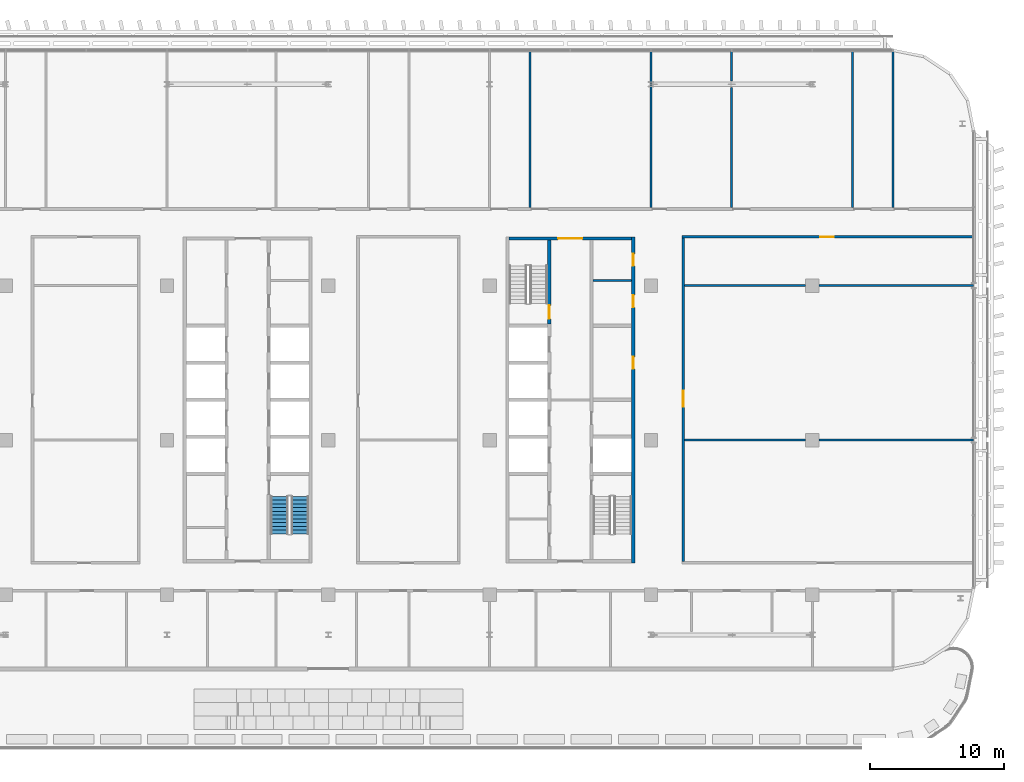
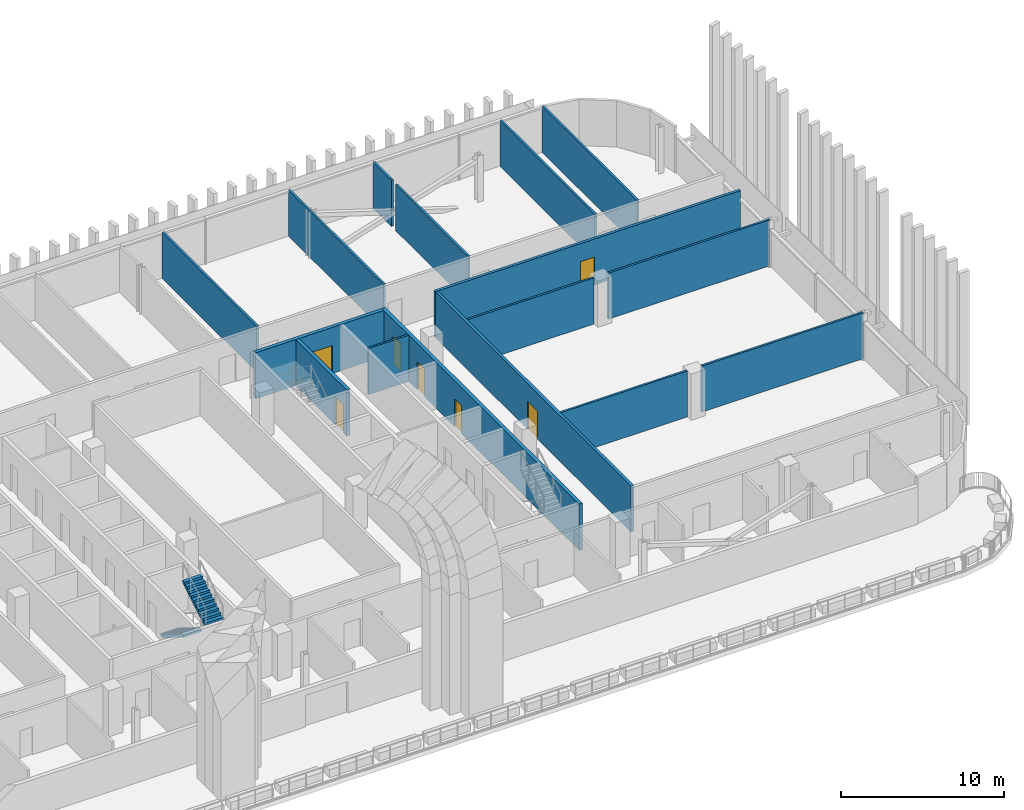
# One storey, part 16 of 30: 16 walls, 7 doors, 2 stair flights, 7 openings, 1 element without a shape of its own.
"""IFC4 building model written with IfcOpenShell, lengths in metres."""

from ifc_helpers import new_model, si_unit, direction, frame, frame_2d, origin, place, context, subcontext, project, spatial, polyline, rectangle, outline, extrude, material, layer, layer_set, type_object, element, fill, aggregate, save


model = new_model("IFC4")

# Units and contexts
model_context = context("Model", 3, precision=1e-05, world=origin(), true_north=direction((0.0, 1.0)))
body_context = subcontext(model_context, "Body", "Model", "MODEL_VIEW")
ifc_project = project(units=[si_unit("LENGTHUNIT", "METRE"), si_unit("AREAUNIT", "SQUARE_METRE"), si_unit("VOLUMEUNIT", "CUBIC_METRE"), si_unit("PLANEANGLEUNIT", "RADIAN"), si_unit("MASSUNIT", "GRAM", prefix="KILO")], contexts=[model_context])

# Site, building, storey
site_placement = place(None, origin())
site = spatial("IfcSite", under=ifc_project, at=site_placement, CompositionType="ELEMENT")
building_placement = place(site_placement, origin())
building = spatial("IfcBuilding", under=site, at=building_placement, Name="Mahtab Terrace Research Tower", CompositionType="ELEMENT")
storey_placement = place(building_placement, frame((0.0, 0.0, 228.60009765625)))
storey = spatial("IfcBuildingStorey", under=building, at=storey_placement, Name="L55", CompositionType="ELEMENT", Elevation=228.60009765625)

# Wall
ifc_material_1 = material(Name="Gypsum board partition")
ifc_layer_1 = layer(ifc_material_1, 0.14990234375)
ifc_layer_set_1 = layer_set([ifc_layer_1], Name="Core partition 150")
wall_type_1 = type_object("IfcWallType", Name="Core partition 150", PredefinedType="PARTITIONING", material=ifc_layer_set_1)
wall_1_placement = place(storey_placement, frame((25.699951171875, 11.875, 0.0), z_axis=(0.0, 0.0, 1.0), x_axis=(1.0, 0.0, 0.0)))
element("IfcWall", 1, at=wall_1_placement, inside=storey, type_object=wall_type_1, Name="Core wall C pEN888", PredefinedType="PARTITIONING", context=body_context, shape_type="SweptSolid", body=[
    extrude(rectangle(XDim=2.85009765625, YDim=0.14990234375, at=frame_2d((1.425048828125, 0.0))), origin(), (0.0, 0.0, 1.0), 3.4599609375),
])

# Wall, openings, doors
ifc_material_2 = material(Name="Concrete C70/85", Category="concrete")
ifc_layer_2 = layer(ifc_material_2, 0.25)
ifc_layer_set_2 = layer_set([ifc_layer_2], Name="Core wall 250")
wall_type_2 = type_object("IfcWallType", Name="Core wall 250", PredefinedType="SOLIDWALL", material=ifc_layer_set_2)
wall_2_placement = place(storey_placement, frame((28.675048828125, -9.125, 0.0), z_axis=(0.0, 0.0, 1.0), x_axis=(0.0, 1.0, 0.0)))
wall_2 = element("IfcWall", 2, at=wall_2_placement, inside=storey, type_object=wall_type_2, Name="Core wall C outerE", PredefinedType="SOLIDWALL", context=body_context, shape_type="SweptSolid", body=[
    extrude(rectangle(XDim=24.25, YDim=0.25, at=frame_2d((12.125, 0.0))), origin(), (0.0, 0.0, 1.0), 3.4599609375),
])
opening_1_placement = place(wall_2_placement, frame((14.425048828125, 0.0, 0.0)))
opening_1 = element("IfcOpeningElement", 3, at=opening_1_placement, cuts=wall_2, Name="Opening C-R2", PredefinedType="OPENING", context=body_context, shape_type="SweptSolid", body=[
    extrude(rectangle(XDim=0.89990234375, YDim=2.10009765625, at=frame_2d((0.449951171875, 1.050048828125))), frame((0.0, 0.135009765625, 0.0), z_axis=(0.0, -1.0, 0.0), x_axis=(1.0, 0.0, 0.0)), (0.0, 0.0, 1.0), 0.27001953125),
])
opening_2_placement = place(wall_2_placement, frame((19.012451171875, 0.0, 0.0)))
opening_2 = element("IfcOpeningElement", 4, at=opening_2_placement, cuts=wall_2, Name="Opening C-R5", PredefinedType="OPENING", context=body_context, shape_type="SweptSolid", body=[
    extrude(rectangle(XDim=0.89990234375, YDim=2.10009765625, at=frame_2d((0.449951171875, 1.050048828125))), frame((0.0, 0.135009765625, 0.0), z_axis=(0.0, -1.0, 0.0), x_axis=(1.0, 0.0, 0.0)), (0.0, 0.0, 1.0), 0.27001953125),
])
opening_3_placement = place(wall_2_placement, frame((22.08740234375, 0.0, 0.0)))
opening_3 = element("IfcOpeningElement", 5, at=opening_3_placement, cuts=wall_2, Name="Opening C-R6", PredefinedType="OPENING", context=body_context, shape_type="SweptSolid", body=[
    extrude(rectangle(XDim=0.89990234375, YDim=2.10009765625, at=frame_2d((0.449951171875, 1.050048828125))), frame((0.0, 0.135009765625, 0.0), z_axis=(0.0, -1.0, 0.0), x_axis=(1.0, 0.0, 0.0)), (0.0, 0.0, 1.0), 0.27001953125),
])
ifc_material_3 = material(Name="Steel fire door", Category="steel")
door_type_1 = type_object("IfcDoorType", Name="Room door 900x2100 1 HR", OperationType="NOTDEFINED", PredefinedType="DOOR", material=ifc_material_3)
door_1_placement = place(opening_1_placement, origin())
door_1 = element("IfcDoor", 6, at=door_1_placement, inside=storey, type_object=door_type_1, Name="Plant room door", OperationType="SINGLE_SWING_RIGHT", OverallHeight=2.10009765625, OverallWidth=0.89990234375, PredefinedType="DOOR", context=body_context, shape_type="SweptSolid", body=[
    extrude(rectangle(XDim=0.89990234375, YDim=2.10009765625, at=frame_2d((0.449951171875, 1.050048828125))), frame((0.0, 0.02490234375, 0.0), z_axis=(0.0, -1.0, 0.0), x_axis=(1.0, 0.0, 0.0)), (0.0, 0.0, 1.0), 0.050048828125),
])
fill(opening_1, door_1)
door_2_placement = place(opening_2_placement, origin())
door_2 = element("IfcDoor", 7, at=door_2_placement, inside=storey, type_object=door_type_1, Name="Housekeeping store door", OperationType="SINGLE_SWING_LEFT", OverallHeight=2.10009765625, OverallWidth=0.89990234375, PredefinedType="DOOR", context=body_context, shape_type="SweptSolid", body=[
    extrude(rectangle(XDim=0.89990234375, YDim=2.10009765625, at=frame_2d((0.449951171875, 1.050048828125))), frame((0.0, 0.02490234375, 0.0), z_axis=(0.0, -1.0, 0.0), x_axis=(1.0, 0.0, 0.0)), (0.0, 0.0, 1.0), 0.050048828125),
])
fill(opening_2, door_2)
door_3_placement = place(opening_3_placement, origin())
door_3 = element("IfcDoor", 8, at=door_3_placement, inside=storey, type_object=door_type_1, Name="Electrical riser room door", OperationType="SINGLE_SWING_RIGHT", OverallHeight=2.10009765625, OverallWidth=0.89990234375, PredefinedType="DOOR", context=body_context, shape_type="SweptSolid", body=[
    extrude(rectangle(XDim=0.89990234375, YDim=2.10009765625, at=frame_2d((0.449951171875, 1.050048828125))), frame((0.0, 0.02490234375, 0.0), z_axis=(0.0, -1.0, 0.0), x_axis=(1.0, 0.0, 0.0)), (0.0, 0.0, 1.0), 0.050048828125),
])
fill(opening_3, door_3)

# Wall, opening, door
wall_3_placement = place(storey_placement, frame((19.449951171875, 15.0, 0.0), z_axis=(0.0, 0.0, 1.0), x_axis=(1.0, 0.0, 0.0)))
wall_3 = element("IfcWall", 9, at=wall_3_placement, inside=storey, type_object=wall_type_2, Name="Core wall C endN", PredefinedType="SOLIDWALL", context=body_context, shape_type="SweptSolid", body=[
    extrude(rectangle(XDim=9.10009765625, YDim=0.25, at=frame_2d((4.550048828125, 0.0))), origin(), (0.0, 0.0, 1.0), 3.4599609375),
])
opening_4_placement = place(wall_3_placement, frame((3.64990234375, 0.0, 0.0)))
opening_4 = element("IfcOpeningElement", 10, at=opening_4_placement, cuts=wall_3, Name="Opening C-N1", PredefinedType="OPENING", context=body_context, shape_type="SweptSolid", body=[
    extrude(rectangle(XDim=1.800048828125, YDim=2.10009765625, at=frame_2d((0.89990234375, 1.050048828125))), frame((0.0, 0.135009765625, 0.0), z_axis=(0.0, -1.0, 0.0), x_axis=(1.0, 0.0, 0.0)), (0.0, 0.0, 1.0), 0.27001953125),
])
door_type_2 = type_object("IfcDoorType", Name="Lobby double door 1800x2100 1 HR", OperationType="DOUBLE_DOOR_SINGLE_SWING", PredefinedType="DOOR", material=ifc_material_3)
door_4_placement = place(opening_4_placement, origin())
door_4 = element("IfcDoor", 11, at=door_4_placement, inside=storey, type_object=door_type_2, Name="Core entrance door C N", OperationType="DOUBLE_DOOR_SINGLE_SWING", OverallHeight=2.10009765625, OverallWidth=1.800048828125, PredefinedType="DOOR", context=body_context, shape_type="SweptSolid", body=[
    extrude(rectangle(XDim=1.800048828125, YDim=2.10009765625, at=frame_2d((0.89990234375, 1.050048828125))), frame((0.0, 0.02490234375, 0.0), z_axis=(0.0, -1.0, 0.0), x_axis=(1.0, 0.0, 0.0)), (0.0, 0.0, 1.0), 0.050048828125),
])
fill(opening_4, door_4)

wall_4_placement = place(storey_placement, frame((22.425048828125, 14.875, 0.0), z_axis=(0.0, 0.0, 1.0), x_axis=(0.0, -1.0, 0.0)))
wall_4 = element("IfcWall", 12, at=wall_4_placement, inside=storey, type_object=wall_type_2, Name="Core wall C innerWN", PredefinedType="SOLIDWALL", context=body_context, shape_type="SweptSolid", body=[
    extrude(rectangle(XDim=6.25, YDim=0.25, at=frame_2d((3.125, 0.0))), origin(), (0.0, 0.0, 1.0), 3.4599609375),
])
opening_5_placement = place(wall_4_placement, frame((4.85009765625, 0.0, 0.0)))
opening_5 = element("IfcOpeningElement", 13, at=opening_5_placement, cuts=wall_4, Name="Opening C-ST3", PredefinedType="OPENING", context=body_context, shape_type="SweptSolid", body=[
    extrude(rectangle(XDim=1.0, YDim=2.10009765625, at=frame_2d((0.5, 1.050048828125))), frame((0.0, 0.135009765625, 0.0), z_axis=(0.0, -1.0, 0.0), x_axis=(1.0, 0.0, 0.0)), (0.0, 0.0, 1.0), 0.27001953125),
])
door_type_3 = type_object("IfcDoorType", Name="Stair door 1000x2100 1.5 HR", OperationType="NOTDEFINED", PredefinedType="DOOR", material=ifc_material_3)
door_5_placement = place(opening_5_placement, origin())
door_5 = element("IfcDoor", 14, at=door_5_placement, inside=storey, type_object=door_type_3, Name="Stair door ST3 L55", OperationType="SINGLE_SWING_LEFT", OverallHeight=2.10009765625, OverallWidth=1.0, PredefinedType="DOOR", context=body_context, shape_type="SweptSolid", body=[
    extrude(rectangle(XDim=1.0, YDim=2.10009765625, at=frame_2d((0.5, 1.050048828125))), frame((0.0, 0.02490234375, 0.0), z_axis=(0.0, -1.0, 0.0), x_axis=(1.0, 0.0, 0.0)), (0.0, 0.0, 1.0), 0.050048828125),
])
fill(opening_5, door_5)

ifc_material_4 = material(Name="Gypsum board corridor wall on steel studs", Category="steel")
ifc_layer_3 = layer(ifc_material_4, 0.199951171875)
ifc_layer_set_3 = layer_set([ifc_layer_3], Name="WALL CORRIDOR 200")
wall_type_3 = type_object("IfcWallType", Name="WALL CORRIDOR 200", PredefinedType="PARTITIONING", material=ifc_layer_set_3)
wall_5_placement = place(storey_placement, frame((32.300048828125, 15.125, 0.0), z_axis=(0.0, 0.0, 1.0), x_axis=(1.0, 0.0, 0.0)))
wall_5 = element("IfcWall", 15, at=wall_5_placement, inside=storey, type_object=wall_type_3, Name="L55-W025", PredefinedType="PARTITIONING", context=body_context, shape_type="SweptSolid", body=[
    extrude(rectangle(XDim=21.675048828125, YDim=0.199951171875, at=frame_2d((10.83740234375, 0.0))), origin(), (0.0, 0.0, 1.0), 3.4599609375),
])
opening_6_placement = place(wall_5_placement, frame((10.300048828125, 0.0, 0.0)))
opening_6 = element("IfcOpeningElement", 16, at=opening_6_placement, cuts=wall_5, Name="Opening L55-127", PredefinedType="OPENING", context=body_context, shape_type="SweptSolid", body=[
    extrude(rectangle(XDim=1.0, YDim=2.10009765625, at=frame_2d((0.5, 1.050048828125))), frame((0.0, 0.10986328125, 0.0), z_axis=(0.0, -1.0, 0.0), x_axis=(1.0, 0.0, 0.0)), (0.0, 0.0, 1.0), 0.219970703125),
])
ifc_material_5 = material(Name="Timber door leaf in steel frame", Category="steel")
door_type_4 = type_object("IfcDoorType", Name="DOOR 1000X2100 FD30S", OperationType="SINGLE_SWING_LEFT", PredefinedType="DOOR", material=ifc_material_5)
door_6_placement = place(opening_6_placement, origin())
door_6 = element("IfcDoor", 17, at=door_6_placement, inside=storey, type_object=door_type_4, Name="Door L55-127", OperationType="SINGLE_SWING_LEFT", OverallHeight=2.10009765625, OverallWidth=1.0, PredefinedType="DOOR", context=body_context, shape_type="SweptSolid", body=[
    extrude(rectangle(XDim=1.0, YDim=2.10009765625, at=frame_2d((0.5, 1.050048828125))), frame((0.0, 0.02490234375, 0.0), z_axis=(0.0, -1.0, 0.0), x_axis=(1.0, 0.0, 0.0)), (0.0, 0.0, 1.0), 0.050048828125),
])
fill(opening_6, door_6)

wall_6_placement = place(storey_placement, frame((32.39990234375, -9.02490234375, 0.0), z_axis=(0.0, 0.0, 1.0), x_axis=(0.0, 1.0, 0.0)))
wall_6 = element("IfcWall", 18, at=wall_6_placement, inside=storey, type_object=wall_type_3, Name="L55-W056", PredefinedType="PARTITIONING", context=body_context, shape_type="SweptSolid", body=[
    extrude(rectangle(XDim=24.0498046875, YDim=0.199951171875, at=frame_2d((12.02490234375, 0.0))), origin(), (0.0, 0.0, 1.0), 3.4599609375),
])
opening_7_placement = place(wall_6_placement, frame((11.5, 0.0, 0.0)))
opening_7 = element("IfcOpeningElement", 19, at=opening_7_placement, cuts=wall_6, Name="Opening L55-123", PredefinedType="OPENING", context=body_context, shape_type="SweptSolid", body=[
    extrude(rectangle(XDim=1.199951171875, YDim=2.10009765625, at=frame_2d((0.60009765625, 1.050048828125))), frame((0.0, 0.10986328125, 0.0), z_axis=(0.0, -1.0, 0.0), x_axis=(1.0, 0.0, 0.0)), (0.0, 0.0, 1.0), 0.219970703125),
])
door_type_5 = type_object("IfcDoorType", Name="DOOR 1200X2100 FD30S", OperationType="SINGLE_SWING_LEFT", PredefinedType="DOOR", material=ifc_material_5)
door_7_placement = place(opening_7_placement, origin())
door_7 = element("IfcDoor", 20, at=door_7_placement, inside=storey, type_object=door_type_5, Name="Door L55-123", OperationType="SINGLE_SWING_LEFT", OverallHeight=2.10009765625, OverallWidth=1.199951171875, PredefinedType="DOOR", context=body_context, shape_type="SweptSolid", body=[
    extrude(rectangle(XDim=1.199951171875, YDim=2.10009765625, at=frame_2d((0.60009765625, 1.050048828125))), frame((0.0, 0.02490234375, 0.0), z_axis=(0.0, -1.0, 0.0), x_axis=(1.0, 0.0, 0.0)), (0.0, 0.0, 1.0), 0.050048828125),
])
fill(opening_7, door_7)

# Walls
ifc_material_6 = material(Name="Gypsum board partition on steel studs", Category="steel")
ifc_layer_4 = layer(ifc_material_6, 0.14990234375)
ifc_layer_set_4 = layer_set([ifc_layer_4], Name="WALL PARTITION 150")
wall_type_4 = type_object("IfcWallType", Name="WALL PARTITION 150", PredefinedType="PARTITIONING", material=ifc_layer_set_4)
wall_7_placement = place(storey_placement, frame((32.5, 0.0, 0.0), z_axis=(0.0, 0.0, 1.0), x_axis=(1.0, 0.0, 0.0)))
element("IfcWall", 21, at=wall_7_placement, inside=storey, type_object=wall_type_4, Name="L55-W017", PredefinedType="PARTITIONING", context=body_context, shape_type="SweptSolid", body=[
    extrude(rectangle(XDim=9.0, YDim=0.14990234375, at=frame_2d((4.5, 0.0))), origin(), (0.0, 0.0, 1.0), 3.4599609375),
])
wall_8_placement = place(storey_placement, frame((42.5, 0.0, 0.0), z_axis=(0.0, 0.0, 1.0), x_axis=(1.0, 0.0, 0.0)))
element("IfcWall", 22, at=wall_8_placement, inside=storey, type_object=wall_type_4, Name="L55-W018", PredefinedType="PARTITIONING", context=body_context, shape_type="SweptSolid", body=[
    extrude(rectangle(XDim=11.47509765625, YDim=0.14990234375, at=frame_2d((5.737548828125, 0.0))), origin(), (0.0, 0.0, 1.0), 3.4599609375),
])
wall_9_placement = place(storey_placement, frame((32.5, 11.5, 0.0), z_axis=(0.0, 0.0, 1.0), x_axis=(1.0, 0.0, 0.0)))
element("IfcWall", 23, at=wall_9_placement, inside=storey, type_object=wall_type_4, Name="L55-W020", PredefinedType="PARTITIONING", context=body_context, shape_type="SweptSolid", body=[
    extrude(rectangle(XDim=9.0, YDim=0.14990234375, at=frame_2d((4.5, 0.0))), origin(), (0.0, 0.0, 1.0), 3.4599609375),
])
wall_10_placement = place(storey_placement, frame((42.5, 11.5, 0.0), z_axis=(0.0, 0.0, 1.0), x_axis=(1.0, 0.0, 0.0)))
element("IfcWall", 24, at=wall_10_placement, inside=storey, type_object=wall_type_4, Name="L55-W021", PredefinedType="PARTITIONING", context=body_context, shape_type="SweptSolid", body=[
    extrude(rectangle(XDim=11.47509765625, YDim=0.14990234375, at=frame_2d((5.737548828125, 0.0))), origin(), (0.0, 0.0, 1.0), 3.4599609375),
])
for number, where, z_axis, x_axis, name in (
    (25, (21.0, 17.300048828125, 0.0), (0.0, 0.0, 1.0), (0.0, 1.0, 0.0), "L55-W052"),
    (26, (30.0, 17.300048828125, 0.0), (0.0, 0.0, 1.0), (0.0, 1.0, 0.0), "L55-W055"),
):
    element("IfcWall", number, at=place(storey_placement, frame(where, z_axis=z_axis, x_axis=x_axis)), inside=storey, type_object=wall_type_4, Name=name, PredefinedType="PARTITIONING", context=body_context, shape_type="SweptSolid", body=[
        extrude(rectangle(XDim=11.675048828125, YDim=0.14990234375, at=frame_2d((5.83740234375, 0.0))), origin(), (0.0, 0.0, 1.0), 3.4599609375),
    ])
wall_11_placement = place(storey_placement, frame((36.0, 17.300048828125, 0.0), z_axis=(0.0, 0.0, 1.0), x_axis=(0.0, 1.0, 0.0)))
element("IfcWall", 27, at=wall_11_placement, inside=storey, type_object=wall_type_4, Name="L55-W058", PredefinedType="PARTITIONING", context=body_context, shape_type="SweptSolid", body=[
    extrude(rectangle(XDim=8.920654296875, YDim=0.14990234375, at=frame_2d((4.46044921875, 0.0))), origin(), (0.0, 0.0, 1.0), 3.4599609375),
])
wall_12_placement = place(storey_placement, frame((36.0, 26.725341796875, 0.0), z_axis=(0.0, 0.0, 1.0), x_axis=(0.0, 1.0, 0.0)))
element("IfcWall", 28, at=wall_12_placement, inside=storey, type_object=wall_type_4, Name="L55-W059", PredefinedType="PARTITIONING", context=body_context, shape_type="SweptSolid", body=[
    extrude(rectangle(XDim=2.249755859375, YDim=0.14990234375, at=frame_2d((1.125, 0.0))), origin(), (0.0, 0.0, 1.0), 3.4599609375),
])
for number, where, z_axis, x_axis, name in (
    (29, (45.0, 17.300048828125, 0.0), (0.0, 0.0, 1.0), (0.0, 1.0, 0.0), "L55-W062"),
    (30, (48.0, 17.300048828125, 0.0), (0.0, 0.0, 1.0), (0.0, 1.0, 0.0), "L55-W064"),
):
    element("IfcWall", number, at=place(storey_placement, frame(where, z_axis=z_axis, x_axis=x_axis)), inside=storey, type_object=wall_type_4, Name=name, PredefinedType="PARTITIONING", context=body_context, shape_type="SweptSolid", body=[
        extrude(rectangle(XDim=11.675048828125, YDim=0.14990234375, at=frame_2d((5.83740234375, 0.0))), origin(), (0.0, 0.0, 1.0), 3.4599609375),
    ])

# Stair, stair flights
ifc_material_7 = material(Name="Exit stair half-turn")
stair_type = type_object("IfcStairType", Name="Exit stair half-turn", PredefinedType="HALF_TURN_STAIR", material=ifc_material_7)
stair_placement = place(storey_placement, origin())
stair = element("IfcStair", 31, at=stair_placement, inside=storey, type_object=stair_type, Name="L55 Protected exit stair ST2", PredefinedType="HALF_TURN_STAIR")
ifc_material_8 = material(Name="Concrete C40/50", Category="concrete")
stair_flight_type = type_object("IfcStairFlightType", Name="Exit stair flight 1300", PredefinedType="STRAIGHT", material=ifc_material_8)
stair_flight_1_placement = place(storey_placement, frame((2.35009765625, -4.175048828125, 0.0), z_axis=(0.0, 0.0, 1.0), x_axis=(0.0, -1.0, 0.0)))
stair_flight_1 = element("IfcStairFlight", 32, at=stair_flight_1_placement, type_object=stair_flight_type, Name="ST2 flight 1", NumberOfRisers=11, NumberOfTreads=10, PredefinedType="STRAIGHT", RiserHeight=0.172727273, TreadLength=0.28, context=body_context, shape_type="SweptSolid", body=[
    extrude(outline(polyline([(0.0, 0.0), (0.0, 0.172607421875), (0.280029296875, 0.172607421875), (0.280029296875, 0.345458984375), (0.56005859375, 0.345458984375), (0.56005859375, 0.51806640625), (0.840087890625, 0.51806640625), (0.840087890625, 0.69091796875), (1.1201171875, 0.69091796875), (1.1201171875, 0.863525390625), (1.39990234375, 0.863525390625), (1.39990234375, 1.036376953125), (1.679931640625, 1.036376953125), (1.679931640625, 1.208984375), (1.9599609375, 1.208984375), (1.9599609375, 1.3818359375), (2.239990234375, 1.3818359375), (2.239990234375, 1.554443359375), (2.52001953125, 1.554443359375), (2.52001953125, 1.727294921875), (2.800048828125, 1.727294921875), (2.800048828125, 1.89990234375), (2.800048828125, 1.551025390625), (0.285400390625, 0.0), (0.0, 0.0)])), frame((0.0, 0.64990234375, 0.0), z_axis=(0.0, -1.0, 0.0), x_axis=(1.0, 0.0, 0.0)), (0.0, 0.0, 1.0), 1.300048828125),
])
stair_flight_2_placement = place(storey_placement, frame((3.89990234375, -6.97509765625, 1.89990234375), z_axis=(0.0, 0.0, 1.0), x_axis=(0.0, 1.0, 0.0)))
stair_flight_2 = element("IfcStairFlight", 33, at=stair_flight_2_placement, type_object=stair_flight_type, Name="ST2 flight 2", NumberOfRisers=11, NumberOfTreads=10, PredefinedType="STRAIGHT", RiserHeight=0.172727273, TreadLength=0.28, context=body_context, shape_type="SweptSolid", body=[
    extrude(outline(polyline([(0.0, 0.0), (0.0, 0.172607421875), (0.280029296875, 0.172607421875), (0.280029296875, 0.345458984375), (0.56005859375, 0.345458984375), (0.56005859375, 0.51806640625), (0.840087890625, 0.51806640625), (0.840087890625, 0.69091796875), (1.1201171875, 0.69091796875), (1.1201171875, 0.863525390625), (1.39990234375, 0.863525390625), (1.39990234375, 1.036376953125), (1.679931640625, 1.036376953125), (1.679931640625, 1.208984375), (1.9599609375, 1.208984375), (1.9599609375, 1.3818359375), (2.239990234375, 1.3818359375), (2.239990234375, 1.554443359375), (2.52001953125, 1.554443359375), (2.52001953125, 1.727294921875), (2.800048828125, 1.727294921875), (2.800048828125, 1.89990234375), (2.800048828125, 1.551025390625), (0.285400390625, 0.0), (0.0, 0.0)])), frame((0.0, 0.64990234375, 0.0), z_axis=(0.0, -1.0, 0.0), x_axis=(1.0, 0.0, 0.0)), (0.0, 0.0, 1.0), 1.300048828125),
])
aggregate(stair, [stair_flight_1, stair_flight_2])

save(model, "model.ifc")
